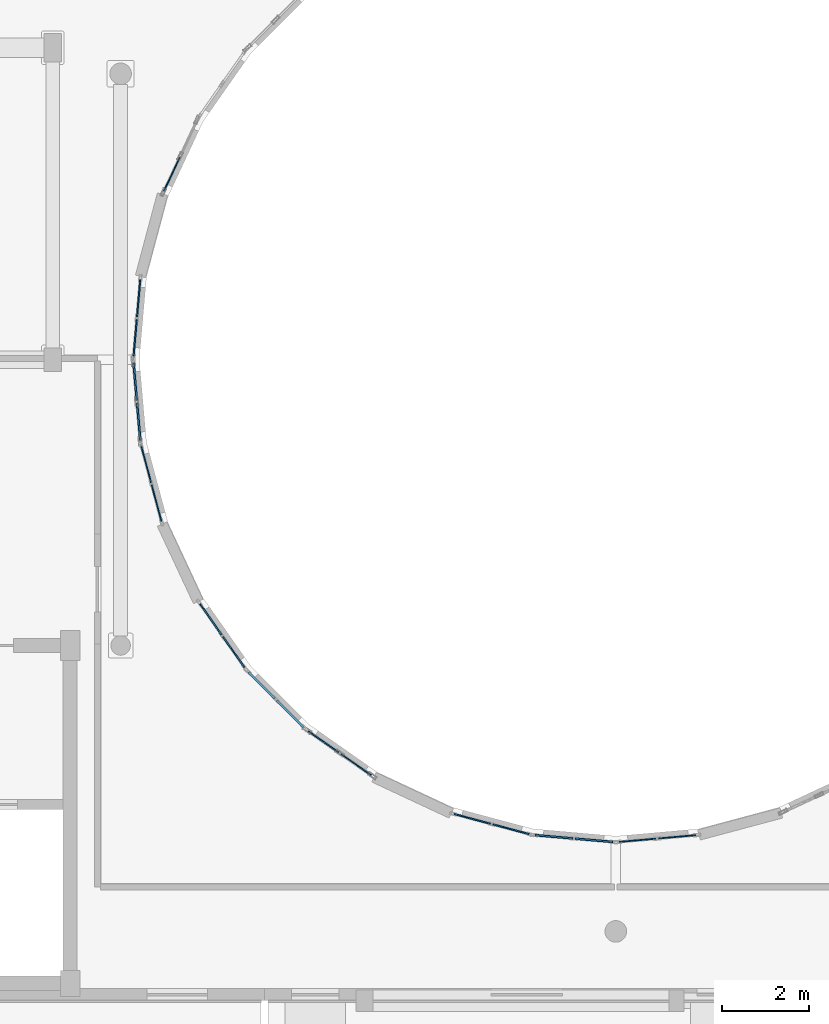
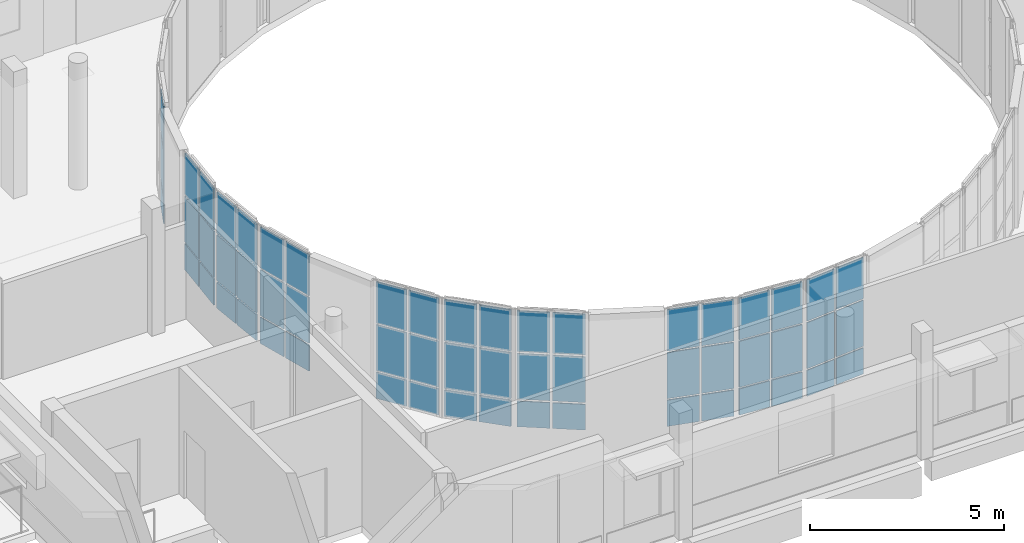
# One storey, part 55 of 89: 57 plates, 10 elements without a shape of their own.
"""IFC4 building model written with IfcOpenShell, lengths in metres."""

from ifc_helpers import new_model, si_unit, direction, frame, origin, origin_2d, place, context, subcontext, project, spatial, rectangle, extrude, material, layer, layer_set, type_object, element, aggregate, save


model = new_model("IFC4")

# Units and contexts
model_context = context("Model", 3, precision=1e-05, world=origin(), true_north=direction((0.0, 1.0)))
body_context = subcontext(model_context, "Body", "Model", "MODEL_VIEW")
ifc_project = project(units=[si_unit("LENGTHUNIT", "METRE"), si_unit("AREAUNIT", "SQUARE_METRE"), si_unit("VOLUMEUNIT", "CUBIC_METRE"), si_unit("PLANEANGLEUNIT", "RADIAN"), si_unit("MASSUNIT", "GRAM", prefix="KILO")], contexts=[model_context])

# Site, building, storey
site_placement = place(None, origin())
site = spatial("IfcSite", under=ifc_project, at=site_placement, CompositionType="ELEMENT")
building_placement = place(site_placement, origin())
building = spatial("IfcBuilding", under=site, at=building_placement, Name="Kelanivale Promenade Academy", CompositionType="ELEMENT")
storey_placement = place(building_placement, frame((0.0, 0.0, 12.199951171875)))
storey = spatial("IfcBuildingStorey", under=building, at=storey_placement, Name="L03", CompositionType="ELEMENT", Elevation=12.199951171875)

# Curtain wall, plates
ifc_material_1 = material(Name="Bronze anodised aluminium and solar-control low-E glass", Category="aluminium")
ifc_layer_1 = layer(ifc_material_1, 0.169921875)
ifc_layer_set_1 = layer_set([ifc_layer_1], Name="Bronze anodised aluminium and solar-control low-E glass")
curtain_wall_type_1 = type_object("IfcCurtainWallType", Name="CW-22 Curtain Wall 1800mm Module", PredefinedType="USERDEFINED", material=ifc_layer_set_1)
curtain_wall_1_placement = place(storey_placement, origin())
curtain_wall_1 = element("IfcCurtainWall", 1, at=curtain_wall_1_placement, inside=storey, type_object=curtain_wall_type_1, Name="L03 courtyard curtain wall CW-22", ObjectType="COURTYARD SCREEN GLAZING", PredefinedType="USERDEFINED")
ifc_material_2 = material(Name="Solar-control double glazing 28 mm", Category="glass")
ifc_layer_2 = layer(ifc_material_2, 0.028076171875)
ifc_layer_set_2 = layer_set([ifc_layer_2], Name="Solar-control double glazing 28 mm")
plate_type_1 = type_object("IfcPlateType", Name="CWP-01 Plate 28mm", PredefinedType="CURTAIN_PANEL", material=ifc_layer_set_2)
plate_1_placement = place(storey_placement, frame((53.149658203125, 61.07958984375, 0.05029296875), z_axis=(0.0, 0.0, 1.0), x_axis=(-0.423086860887, -0.906089128146, 0.0)))
plate_1 = element("IfcPlate", 2, at=plate_1_placement, type_object=plate_type_1, Name="CW-22 panel 2.1", PredefinedType="CURTAIN_PANEL", context=body_context, shape_type="SweptSolid", body=[
    extrude(rectangle(XDim=0.861328125, YDim=0.028076171875, at=origin_2d()), origin(), (0.0, 0.0, 1.0), 0.824951171875),
])
plate_2_placement = place(storey_placement, frame((53.149658203125, 61.07958984375, 0.92529296875), z_axis=(0.0, 0.0, 1.0), x_axis=(-0.423086860887, -0.906089128146, 0.0)))
plate_2 = element("IfcPlate", 3, at=plate_2_placement, type_object=plate_type_1, Name="CW-22 panel 2.2", PredefinedType="CURTAIN_PANEL", context=body_context, shape_type="SweptSolid", body=[
    extrude(rectangle(XDim=0.861328125, YDim=0.028076171875, at=origin_2d()), origin(), (0.0, 0.0, 1.0), 1.449951171875),
])
plate_3_placement = place(storey_placement, frame((53.149658203125, 61.07958984375, 2.42529296875), z_axis=(0.0, 0.0, 1.0), x_axis=(-0.423086860887, -0.906089128146, 0.0)))
plate_3 = element("IfcPlate", 4, at=plate_3_placement, type_object=plate_type_1, Name="CW-22 panel 2.3", PredefinedType="CURTAIN_PANEL", context=body_context, shape_type="SweptSolid", body=[
    extrude(rectangle(XDim=0.861328125, YDim=0.028076171875, at=origin_2d()), origin(), (0.0, 0.0, 1.0), 1.304931640625),
])
aggregate(curtain_wall_1, [plate_1, plate_2, plate_3])

ifc_layer_3 = layer(ifc_material_1, 0.169921875)
ifc_layer_set_3 = layer_set([ifc_layer_3], Name="Bronze anodised aluminium and solar-control low-E glass")
curtain_wall_type_2 = type_object("IfcCurtainWallType", Name="CW-01 Curtain Wall 1350mm Module", PredefinedType="USERDEFINED", material=ifc_layer_set_3)
curtain_wall_2_placement = place(storey_placement, origin())
curtain_wall_2 = element("IfcCurtainWall", 5, at=curtain_wall_2_placement, inside=storey, type_object=curtain_wall_type_2, Name="L03 courtyard curtain wall CW-01", ObjectType="UNITISED GLAZING", PredefinedType="USERDEFINED")
plate_4_placement = place(storey_placement, frame((52.558837890625, 54.380126953125, 0.05029296875), z_axis=(0.0, 0.0, 1.0), x_axis=(0.258578458902, -0.965990259056, 0.0)))
plate_4 = element("IfcPlate", 6, at=plate_4_placement, type_object=plate_type_1, Name="CW-01 panel 1.1", PredefinedType="CURTAIN_PANEL", context=body_context, shape_type="SweptSolid", body=[
    extrude(rectangle(XDim=0.861328125, YDim=0.028076171875, at=origin_2d()), origin(), (0.0, 0.0, 1.0), 0.824951171875),
])
plate_5_placement = place(storey_placement, frame((52.558837890625, 54.380126953125, 0.92529296875), z_axis=(0.0, 0.0, 1.0), x_axis=(0.258578458902, -0.965990259056, 0.0)))
plate_5 = element("IfcPlate", 7, at=plate_5_placement, type_object=plate_type_1, Name="CW-01 panel 1.2", PredefinedType="CURTAIN_PANEL", context=body_context, shape_type="SweptSolid", body=[
    extrude(rectangle(XDim=0.861328125, YDim=0.028076171875, at=origin_2d()), origin(), (0.0, 0.0, 1.0), 1.449951171875),
])
plate_6_placement = place(storey_placement, frame((52.558837890625, 54.380126953125, 2.42529296875), z_axis=(0.0, 0.0, 1.0), x_axis=(0.258578458902, -0.965990259056, 0.0)))
plate_6 = element("IfcPlate", 8, at=plate_6_placement, type_object=plate_type_1, Name="CW-01 panel 1.3", PredefinedType="CURTAIN_PANEL", context=body_context, shape_type="SweptSolid", body=[
    extrude(rectangle(XDim=0.861328125, YDim=0.028076171875, at=origin_2d()), origin(), (0.0, 0.0, 1.0), 1.304931640625),
])
plate_7_placement = place(storey_placement, frame((52.797119140625, 53.489990234375, 0.05029296875), z_axis=(0.0, 0.0, 1.0), x_axis=(0.258578458902, -0.965990259056, 0.0)))
plate_7 = element("IfcPlate", 9, at=plate_7_placement, type_object=plate_type_1, Name="CW-01 panel 2.1", PredefinedType="CURTAIN_PANEL", context=body_context, shape_type="SweptSolid", body=[
    extrude(rectangle(XDim=0.861328125, YDim=0.028076171875, at=origin_2d()), origin(), (0.0, 0.0, 1.0), 0.824951171875),
])
plate_8_placement = place(storey_placement, frame((52.797119140625, 53.489990234375, 0.92529296875), z_axis=(0.0, 0.0, 1.0), x_axis=(0.258578458902, -0.965990259056, 0.0)))
plate_8 = element("IfcPlate", 10, at=plate_8_placement, type_object=plate_type_1, Name="CW-01 panel 2.2", PredefinedType="CURTAIN_PANEL", context=body_context, shape_type="SweptSolid", body=[
    extrude(rectangle(XDim=0.861328125, YDim=0.028076171875, at=origin_2d()), origin(), (0.0, 0.0, 1.0), 1.449951171875),
])
plate_9_placement = place(storey_placement, frame((52.797119140625, 53.489990234375, 2.42529296875), z_axis=(0.0, 0.0, 1.0), x_axis=(0.258578458902, -0.965990259056, 0.0)))
plate_9 = element("IfcPlate", 11, at=plate_9_placement, type_object=plate_type_1, Name="CW-01 panel 2.3", PredefinedType="CURTAIN_PANEL", context=body_context, shape_type="SweptSolid", body=[
    extrude(rectangle(XDim=0.861328125, YDim=0.028076171875, at=origin_2d()), origin(), (0.0, 0.0, 1.0), 1.304931640625),
])
aggregate(curtain_wall_2, [plate_4, plate_5, plate_6, plate_7, plate_8, plate_9])

ifc_layer_4 = layer(ifc_material_1, 0.169921875)
ifc_layer_set_4 = layer_set([ifc_layer_4], Name="Bronze anodised aluminium and solar-control low-E glass")
curtain_wall_type_3 = type_object("IfcCurtainWallType", Name="CW-04 Curtain Wall 1800mm Module", PredefinedType="USERDEFINED", material=ifc_layer_set_4)
curtain_wall_3_placement = place(storey_placement, origin())
curtain_wall_3 = element("IfcCurtainWall", 12, at=curtain_wall_3_placement, inside=storey, type_object=curtain_wall_type_3, Name="L03 courtyard curtain wall CW-04", ObjectType="UNITISED GLAZING", PredefinedType="USERDEFINED")
plate_10_placement = place(storey_placement, frame((56.652099609375, 47.97705078125, 0.06005859375), z_axis=(0.0, 0.0, 1.0), x_axis=(0.819305982099, -0.573356527561, 0.0)))
plate_10 = element("IfcPlate", 13, at=plate_10_placement, type_object=plate_type_1, Name="CW-04 panel 1.1", PredefinedType="CURTAIN_PANEL", context=body_context, shape_type="SweptSolid", body=[
    extrude(rectangle(XDim=0.85400390625, YDim=0.028076171875, at=origin_2d()), origin(), (0.0, 0.0, 1.0), 0.81005859375),
])
plate_11_placement = place(storey_placement, frame((56.652099609375, 47.97705078125, 0.93017578125), z_axis=(0.0, 0.0, 1.0), x_axis=(0.819305982099, -0.573356527561, 0.0)))
plate_11 = element("IfcPlate", 14, at=plate_11_placement, type_object=plate_type_1, Name="CW-04 panel 1.2", PredefinedType="CURTAIN_PANEL", context=body_context, shape_type="SweptSolid", body=[
    extrude(rectangle(XDim=0.85400390625, YDim=0.028076171875, at=origin_2d()), origin(), (0.0, 0.0, 1.0), 1.43994140625),
])
plate_12_placement = place(storey_placement, frame((56.652099609375, 47.97705078125, 2.429931640625), z_axis=(0.0, 0.0, 1.0), x_axis=(0.819305982099, -0.573356527561, 0.0)))
plate_12 = element("IfcPlate", 15, at=plate_12_placement, type_object=plate_type_1, Name="CW-04 panel 1.3", PredefinedType="CURTAIN_PANEL", context=body_context, shape_type="SweptSolid", body=[
    extrude(rectangle(XDim=0.85400390625, YDim=0.028076171875, at=origin_2d()), origin(), (0.0, 0.0, 1.0), 1.2900390625),
])
plate_13_placement = place(storey_placement, frame((57.405029296875, 47.449951171875, 0.06005859375), z_axis=(0.0, 0.0, 1.0), x_axis=(0.819305982099, -0.573356527561, 0.0)))
plate_13 = element("IfcPlate", 16, at=plate_13_placement, type_object=plate_type_1, Name="CW-04 panel 2.1", PredefinedType="CURTAIN_PANEL", context=body_context, shape_type="SweptSolid", body=[
    extrude(rectangle(XDim=0.85400390625, YDim=0.028076171875, at=origin_2d()), origin(), (0.0, 0.0, 1.0), 0.81005859375),
])
plate_14_placement = place(storey_placement, frame((57.405029296875, 47.449951171875, 0.93017578125), z_axis=(0.0, 0.0, 1.0), x_axis=(0.819305982099, -0.573356527561, 0.0)))
plate_14 = element("IfcPlate", 17, at=plate_14_placement, type_object=plate_type_1, Name="CW-04 panel 2.2", PredefinedType="CURTAIN_PANEL", context=body_context, shape_type="SweptSolid", body=[
    extrude(rectangle(XDim=0.85400390625, YDim=0.028076171875, at=origin_2d()), origin(), (0.0, 0.0, 1.0), 1.43994140625),
])
plate_15_placement = place(storey_placement, frame((57.405029296875, 47.449951171875, 2.429931640625), z_axis=(0.0, 0.0, 1.0), x_axis=(0.819305982099, -0.573356527561, 0.0)))
plate_15 = element("IfcPlate", 18, at=plate_15_placement, type_object=plate_type_1, Name="CW-04 panel 2.3", PredefinedType="CURTAIN_PANEL", context=body_context, shape_type="SweptSolid", body=[
    extrude(rectangle(XDim=0.85400390625, YDim=0.028076171875, at=origin_2d()), origin(), (0.0, 0.0, 1.0), 1.2900390625),
])
aggregate(curtain_wall_3, [plate_10, plate_11, plate_12, plate_13, plate_14, plate_15])

ifc_layer_5 = layer(ifc_material_1, 0.169921875)
ifc_layer_set_5 = layer_set([ifc_layer_5], Name="Bronze anodised aluminium and solar-control low-E glass")
curtain_wall_type_4 = type_object("IfcCurtainWallType", Name="CW-07 Curtain Wall 1350mm Module", PredefinedType="USERDEFINED", material=ifc_layer_set_5)
curtain_wall_4_placement = place(storey_placement, origin())
curtain_wall_4 = element("IfcCurtainWall", 19, at=curtain_wall_4_placement, inside=storey, type_object=curtain_wall_type_4, Name="L03 courtyard curtain wall CW-07", ObjectType="UNITISED GLAZING", PredefinedType="USERDEFINED")
plate_16_placement = place(storey_placement, frame((63.90185546875, 45.703857421875, 0.05029296875), z_axis=(0.0, 0.0, 1.0), x_axis=(0.996185153601, 0.087264768066, 0.0)))
plate_16 = element("IfcPlate", 20, at=plate_16_placement, type_object=plate_type_1, Name="CW-07 panel 1.1", PredefinedType="CURTAIN_PANEL", context=body_context, shape_type="SweptSolid", body=[
    extrude(rectangle(XDim=0.853515625, YDim=0.028076171875, at=origin_2d()), origin(), (0.0, 0.0, 1.0), 0.824951171875),
])
plate_17_placement = place(storey_placement, frame((63.90185546875, 45.703857421875, 0.92529296875), z_axis=(0.0, 0.0, 1.0), x_axis=(0.996185153601, 0.087264768066, 0.0)))
plate_17 = element("IfcPlate", 21, at=plate_17_placement, type_object=plate_type_1, Name="CW-07 panel 1.2", PredefinedType="CURTAIN_PANEL", context=body_context, shape_type="SweptSolid", body=[
    extrude(rectangle(XDim=0.853515625, YDim=0.028076171875, at=origin_2d()), origin(), (0.0, 0.0, 1.0), 1.449951171875),
])
plate_18_placement = place(storey_placement, frame((63.90185546875, 45.703857421875, 2.42529296875), z_axis=(0.0, 0.0, 1.0), x_axis=(0.996185153601, 0.087264768066, 0.0)))
plate_18 = element("IfcPlate", 22, at=plate_18_placement, type_object=plate_type_1, Name="CW-07 panel 1.3", PredefinedType="CURTAIN_PANEL", context=body_context, shape_type="SweptSolid", body=[
    extrude(rectangle(XDim=0.853515625, YDim=0.028076171875, at=origin_2d()), origin(), (0.0, 0.0, 1.0), 1.304931640625),
])
plate_19_placement = place(storey_placement, frame((64.817138671875, 45.7841796875, 0.05029296875), z_axis=(0.0, 0.0, 1.0), x_axis=(0.996185153601, 0.087264768066, 0.0)))
plate_19 = element("IfcPlate", 23, at=plate_19_placement, type_object=plate_type_1, Name="CW-07 panel 2.1", PredefinedType="CURTAIN_PANEL", context=body_context, shape_type="SweptSolid", body=[
    extrude(rectangle(XDim=0.853515625, YDim=0.028076171875, at=origin_2d()), origin(), (0.0, 0.0, 1.0), 0.824951171875),
])
plate_20_placement = place(storey_placement, frame((64.817138671875, 45.7841796875, 0.92529296875), z_axis=(0.0, 0.0, 1.0), x_axis=(0.996185153601, 0.087264768066, 0.0)))
plate_20 = element("IfcPlate", 24, at=plate_20_placement, type_object=plate_type_1, Name="CW-07 panel 2.2", PredefinedType="CURTAIN_PANEL", context=body_context, shape_type="SweptSolid", body=[
    extrude(rectangle(XDim=0.853515625, YDim=0.028076171875, at=origin_2d()), origin(), (0.0, 0.0, 1.0), 1.449951171875),
])
plate_21_placement = place(storey_placement, frame((64.817138671875, 45.7841796875, 2.42529296875), z_axis=(0.0, 0.0, 1.0), x_axis=(0.996185153601, 0.087264768066, 0.0)))
plate_21 = element("IfcPlate", 25, at=plate_21_placement, type_object=plate_type_1, Name="CW-07 panel 2.3", PredefinedType="CURTAIN_PANEL", context=body_context, shape_type="SweptSolid", body=[
    extrude(rectangle(XDim=0.853515625, YDim=0.028076171875, at=origin_2d()), origin(), (0.0, 0.0, 1.0), 1.304931640625),
])
aggregate(curtain_wall_4, [plate_16, plate_17, plate_18, plate_19, plate_20, plate_21])

ifc_layer_6 = layer(ifc_material_1, 0.179931640625)
ifc_layer_set_6 = layer_set([ifc_layer_6], Name="Bronze anodised aluminium and solar-control low-E glass")
curtain_wall_type_5 = type_object("IfcCurtainWallType", Name="CW-23 Curtain Wall 1950mm Module", PredefinedType="USERDEFINED", material=ifc_layer_set_6)
curtain_wall_5_placement = place(storey_placement, origin())
curtain_wall_5 = element("IfcCurtainWall", 26, at=curtain_wall_5_placement, inside=storey, type_object=curtain_wall_type_5, Name="L03 courtyard curtain wall CW-23", ObjectType="COURTYARD SCREEN GLAZING", PredefinedType="USERDEFINED")
ifc_material_3 = material(Name="Acoustic laminated double glazing 36 mm", Category="glass")
ifc_layer_7 = layer(ifc_material_3, 0.035888671875)
ifc_layer_set_7 = layer_set([ifc_layer_7], Name="Acoustic laminated double glazing 36 mm")
plate_type_2 = type_object("IfcPlateType", Name="CWP-02 Plate 36mm", PredefinedType="CURTAIN_PANEL", material=ifc_layer_set_7)
plate_22_placement = place(storey_placement, frame((52.384033203125, 58.217041015625, 0.05029296875), z_axis=(0.0, 0.0, 1.0), x_axis=(-0.087264768066, -0.996185153601, 0.0)))
plate_22 = element("IfcPlate", 27, at=plate_22_placement, type_object=plate_type_2, Name="CW-23 panel 1.1", PredefinedType="CURTAIN_PANEL", context=body_context, shape_type="SweptSolid", body=[
    extrude(rectangle(XDim=0.853515625, YDim=0.035888671875, at=origin_2d()), origin(), (0.0, 0.0, 1.0), 0.824951171875),
])
plate_23_placement = place(storey_placement, frame((52.384033203125, 58.217041015625, 0.92529296875), z_axis=(0.0, 0.0, 1.0), x_axis=(-0.087264768066, -0.996185153601, 0.0)))
plate_23 = element("IfcPlate", 28, at=plate_23_placement, type_object=plate_type_2, Name="CW-23 panel 1.2", PredefinedType="CURTAIN_PANEL", context=body_context, shape_type="SweptSolid", body=[
    extrude(rectangle(XDim=0.853515625, YDim=0.035888671875, at=origin_2d()), origin(), (0.0, 0.0, 1.0), 1.449951171875),
])
plate_24_placement = place(storey_placement, frame((52.384033203125, 58.217041015625, 2.42529296875), z_axis=(0.0, 0.0, 1.0), x_axis=(-0.087264768066, -0.996185153601, 0.0)))
plate_24 = element("IfcPlate", 29, at=plate_24_placement, type_object=plate_type_2, Name="CW-23 panel 1.3", PredefinedType="CURTAIN_PANEL", context=body_context, shape_type="SweptSolid", body=[
    extrude(rectangle(XDim=0.853515625, YDim=0.035888671875, at=origin_2d()), origin(), (0.0, 0.0, 1.0), 1.304931640625),
])
plate_25_placement = place(storey_placement, frame((52.303955078125, 57.302001953125, 0.05029296875), z_axis=(0.0, 0.0, 1.0), x_axis=(-0.087264768066, -0.996185153601, 0.0)))
plate_25 = element("IfcPlate", 30, at=plate_25_placement, type_object=plate_type_2, Name="CW-23 panel 2.1", PredefinedType="CURTAIN_PANEL", context=body_context, shape_type="SweptSolid", body=[
    extrude(rectangle(XDim=0.853515625, YDim=0.035888671875, at=origin_2d()), origin(), (0.0, 0.0, 1.0), 0.824951171875),
])
plate_26_placement = place(storey_placement, frame((52.303955078125, 57.302001953125, 0.92529296875), z_axis=(0.0, 0.0, 1.0), x_axis=(-0.087264768066, -0.996185153601, 0.0)))
plate_26 = element("IfcPlate", 31, at=plate_26_placement, type_object=plate_type_2, Name="CW-23 panel 2.2", PredefinedType="CURTAIN_PANEL", context=body_context, shape_type="SweptSolid", body=[
    extrude(rectangle(XDim=0.853515625, YDim=0.035888671875, at=origin_2d()), origin(), (0.0, 0.0, 1.0), 1.449951171875),
])
plate_27_placement = place(storey_placement, frame((52.303955078125, 57.302001953125, 2.42529296875), z_axis=(0.0, 0.0, 1.0), x_axis=(-0.087264768066, -0.996185153601, 0.0)))
plate_27 = element("IfcPlate", 32, at=plate_27_placement, type_object=plate_type_2, Name="CW-23 panel 2.3", PredefinedType="CURTAIN_PANEL", context=body_context, shape_type="SweptSolid", body=[
    extrude(rectangle(XDim=0.853515625, YDim=0.035888671875, at=origin_2d()), origin(), (0.0, 0.0, 1.0), 1.304931640625),
])
aggregate(curtain_wall_5, [plate_22, plate_23, plate_24, plate_25, plate_26, plate_27])

ifc_layer_8 = layer(ifc_material_1, 0.179931640625)
ifc_layer_set_8 = layer_set([ifc_layer_8], Name="Bronze anodised aluminium and solar-control low-E glass")
curtain_wall_type_6 = type_object("IfcCurtainWallType", Name="CW-02 Curtain Wall 1500mm Module", PredefinedType="USERDEFINED", material=ifc_layer_set_8)
curtain_wall_6_placement = place(storey_placement, origin())
curtain_wall_6 = element("IfcCurtainWall", 33, at=curtain_wall_6_placement, inside=storey, type_object=curtain_wall_type_6, Name="L03 courtyard curtain wall CW-02", ObjectType="UNITISED GLAZING", PredefinedType="USERDEFINED")
plate_28_placement = place(storey_placement, frame((54.04931640625, 50.805908203125, 0.05029296875), z_axis=(0.0, 0.0, 1.0), x_axis=(0.573356527561, -0.819305982099, 0.0)))
plate_28 = element("IfcPlate", 34, at=plate_28_placement, type_object=plate_type_2, Name="CW-02 panel 1.1", PredefinedType="CURTAIN_PANEL", context=body_context, shape_type="SweptSolid", body=[
    extrude(rectangle(XDim=0.861328125, YDim=0.035888671875, at=origin_2d()), origin(), (0.0, 0.0, 1.0), 0.824951171875),
])
plate_29_placement = place(storey_placement, frame((54.04931640625, 50.805908203125, 0.92529296875), z_axis=(0.0, 0.0, 1.0), x_axis=(0.573356527561, -0.819305982099, 0.0)))
plate_29 = element("IfcPlate", 35, at=plate_29_placement, type_object=plate_type_2, Name="CW-02 panel 1.2", PredefinedType="CURTAIN_PANEL", context=body_context, shape_type="SweptSolid", body=[
    extrude(rectangle(XDim=0.861328125, YDim=0.035888671875, at=origin_2d()), origin(), (0.0, 0.0, 1.0), 1.449951171875),
])
plate_30_placement = place(storey_placement, frame((54.04931640625, 50.805908203125, 2.42529296875), z_axis=(0.0, 0.0, 1.0), x_axis=(0.573356527561, -0.819305982099, 0.0)))
plate_30 = element("IfcPlate", 36, at=plate_30_placement, type_object=plate_type_2, Name="CW-02 panel 1.3", PredefinedType="CURTAIN_PANEL", context=body_context, shape_type="SweptSolid", body=[
    extrude(rectangle(XDim=0.861328125, YDim=0.035888671875, at=origin_2d()), origin(), (0.0, 0.0, 1.0), 1.304931640625),
])
plate_31_placement = place(storey_placement, frame((54.57763671875, 50.051025390625, 0.05029296875), z_axis=(0.0, 0.0, 1.0), x_axis=(0.573356527561, -0.819305982099, 0.0)))
plate_31 = element("IfcPlate", 37, at=plate_31_placement, type_object=plate_type_2, Name="CW-02 panel 2.1", PredefinedType="CURTAIN_PANEL", context=body_context, shape_type="SweptSolid", body=[
    extrude(rectangle(XDim=0.861328125, YDim=0.035888671875, at=origin_2d()), origin(), (0.0, 0.0, 1.0), 0.824951171875),
])
plate_32_placement = place(storey_placement, frame((54.57763671875, 50.051025390625, 0.92529296875), z_axis=(0.0, 0.0, 1.0), x_axis=(0.573356527561, -0.819305982099, 0.0)))
plate_32 = element("IfcPlate", 38, at=plate_32_placement, type_object=plate_type_2, Name="CW-02 panel 2.2", PredefinedType="CURTAIN_PANEL", context=body_context, shape_type="SweptSolid", body=[
    extrude(rectangle(XDim=0.861328125, YDim=0.035888671875, at=origin_2d()), origin(), (0.0, 0.0, 1.0), 1.449951171875),
])
plate_33_placement = place(storey_placement, frame((54.57763671875, 50.051025390625, 2.42529296875), z_axis=(0.0, 0.0, 1.0), x_axis=(0.573356527561, -0.819305982099, 0.0)))
plate_33 = element("IfcPlate", 39, at=plate_33_placement, type_object=plate_type_2, Name="CW-02 panel 2.3", PredefinedType="CURTAIN_PANEL", context=body_context, shape_type="SweptSolid", body=[
    extrude(rectangle(XDim=0.861328125, YDim=0.035888671875, at=origin_2d()), origin(), (0.0, 0.0, 1.0), 1.304931640625),
])
aggregate(curtain_wall_6, [plate_28, plate_29, plate_30, plate_31, plate_32, plate_33])

ifc_layer_9 = layer(ifc_material_1, 0.179931640625)
ifc_layer_set_9 = layer_set([ifc_layer_9], Name="Bronze anodised aluminium and solar-control low-E glass")
curtain_wall_type_7 = type_object("IfcCurtainWallType", Name="CW-05 Curtain Wall 1950mm Module", PredefinedType="USERDEFINED", material=ifc_layer_set_9)
curtain_wall_7_placement = place(storey_placement, origin())
curtain_wall_7 = element("IfcCurtainWall", 40, at=curtain_wall_7_placement, inside=storey, type_object=curtain_wall_type_7, Name="L03 courtyard curtain wall CW-05", ObjectType="UNITISED GLAZING", PredefinedType="USERDEFINED")
plate_34_placement = place(storey_placement, frame((60.090087890625, 46.197021484375, 0.05029296875), z_axis=(0.0, 0.0, 1.0), x_axis=(0.965990259056, -0.258578458902, 0.0)))
plate_34 = element("IfcPlate", 41, at=plate_34_placement, type_object=plate_type_2, Name="CW-05 panel 1.1", PredefinedType="CURTAIN_PANEL", context=body_context, shape_type="SweptSolid", body=[
    extrude(rectangle(XDim=0.861328125, YDim=0.035888671875, at=origin_2d()), origin(), (0.0, 0.0, 1.0), 0.824951171875),
])
plate_35_placement = place(storey_placement, frame((60.090087890625, 46.197021484375, 0.92529296875), z_axis=(0.0, 0.0, 1.0), x_axis=(0.965990259056, -0.258578458902, 0.0)))
plate_35 = element("IfcPlate", 42, at=plate_35_placement, type_object=plate_type_2, Name="CW-05 panel 1.2", PredefinedType="CURTAIN_PANEL", context=body_context, shape_type="SweptSolid", body=[
    extrude(rectangle(XDim=0.861328125, YDim=0.035888671875, at=origin_2d()), origin(), (0.0, 0.0, 1.0), 1.449951171875),
])
plate_36_placement = place(storey_placement, frame((60.090087890625, 46.197021484375, 2.42529296875), z_axis=(0.0, 0.0, 1.0), x_axis=(0.965990259056, -0.258578458902, 0.0)))
plate_36 = element("IfcPlate", 43, at=plate_36_placement, type_object=plate_type_2, Name="CW-05 panel 1.3", PredefinedType="CURTAIN_PANEL", context=body_context, shape_type="SweptSolid", body=[
    extrude(rectangle(XDim=0.861328125, YDim=0.035888671875, at=origin_2d()), origin(), (0.0, 0.0, 1.0), 1.304931640625),
])
plate_37_placement = place(storey_placement, frame((60.97998046875, 45.958984375, 0.05029296875), z_axis=(0.0, 0.0, 1.0), x_axis=(0.965990259056, -0.258578458902, 0.0)))
plate_37 = element("IfcPlate", 44, at=plate_37_placement, type_object=plate_type_2, Name="CW-05 panel 2.1", PredefinedType="CURTAIN_PANEL", context=body_context, shape_type="SweptSolid", body=[
    extrude(rectangle(XDim=0.861328125, YDim=0.035888671875, at=origin_2d()), origin(), (0.0, 0.0, 1.0), 0.824951171875),
])
plate_38_placement = place(storey_placement, frame((60.97998046875, 45.958984375, 0.92529296875), z_axis=(0.0, 0.0, 1.0), x_axis=(0.965990259056, -0.258578458902, 0.0)))
plate_38 = element("IfcPlate", 45, at=plate_38_placement, type_object=plate_type_2, Name="CW-05 panel 2.2", PredefinedType="CURTAIN_PANEL", context=body_context, shape_type="SweptSolid", body=[
    extrude(rectangle(XDim=0.861328125, YDim=0.035888671875, at=origin_2d()), origin(), (0.0, 0.0, 1.0), 1.449951171875),
])
plate_39_placement = place(storey_placement, frame((60.97998046875, 45.958984375, 2.42529296875), z_axis=(0.0, 0.0, 1.0), x_axis=(0.965990259056, -0.258578458902, 0.0)))
plate_39 = element("IfcPlate", 46, at=plate_39_placement, type_object=plate_type_2, Name="CW-05 panel 2.3", PredefinedType="CURTAIN_PANEL", context=body_context, shape_type="SweptSolid", body=[
    extrude(rectangle(XDim=0.861328125, YDim=0.035888671875, at=origin_2d()), origin(), (0.0, 0.0, 1.0), 1.304931640625),
])
aggregate(curtain_wall_7, [plate_34, plate_35, plate_36, plate_37, plate_38, plate_39])

ifc_layer_10 = layer(ifc_material_1, 0.159912109375)
ifc_layer_set_10 = layer_set([ifc_layer_10], Name="Bronze anodised aluminium and solar-control low-E glass")
curtain_wall_type_8 = type_object("IfcCurtainWallType", Name="CW-24 Curtain Wall 1200mm Module", PredefinedType="USERDEFINED", material=ifc_layer_set_10)
curtain_wall_8_placement = place(storey_placement, origin())
curtain_wall_8 = element("IfcCurtainWall", 47, at=curtain_wall_8_placement, inside=storey, type_object=curtain_wall_type_8, Name="L03 courtyard curtain wall CW-24", ObjectType="COURTYARD SCREEN GLAZING", PredefinedType="USERDEFINED")
ifc_material_4 = material(Name="Insulated bronze aluminium spandrel panel 44 mm", Category="aluminium")
ifc_layer_11 = layer(ifc_material_4, 0.0439453125)
ifc_layer_set_11 = layer_set([ifc_layer_11], Name="Insulated bronze aluminium spandrel panel 44 mm")
plate_type_3 = type_object("IfcPlateType", Name="CWP-03 Plate 44mm", PredefinedType="CURTAIN_PANEL", material=ifc_layer_set_11)
plate_40_placement = place(storey_placement, frame((52.30419921875, 56.29443359375, 0.06005859375), z_axis=(0.0, 0.0, 1.0), x_axis=(0.087102249164, -0.996199376727, 0.0)))
plate_40 = element("IfcPlate", 48, at=plate_40_placement, type_object=plate_type_3, Name="CW-24 panel 1.1", PredefinedType="CURTAIN_PANEL", context=body_context, shape_type="SweptSolid", body=[
    extrude(rectangle(XDim=0.861083984375, YDim=0.0439453125, at=origin_2d()), origin(), (0.0, 0.0, 1.0), 0.81005859375),
])
plate_41_placement = place(storey_placement, frame((52.30419921875, 56.29443359375, 0.93017578125), z_axis=(0.0, 0.0, 1.0), x_axis=(0.087102249164, -0.996199376727, 0.0)))
plate_41 = element("IfcPlate", 49, at=plate_41_placement, type_object=plate_type_3, Name="CW-24 panel 1.2", PredefinedType="CURTAIN_PANEL", context=body_context, shape_type="SweptSolid", body=[
    extrude(rectangle(XDim=0.861083984375, YDim=0.0439453125, at=origin_2d()), origin(), (0.0, 0.0, 1.0), 1.43994140625),
])
plate_42_placement = place(storey_placement, frame((52.30419921875, 56.29443359375, 2.429931640625), z_axis=(0.0, 0.0, 1.0), x_axis=(0.087102249164, -0.996199376727, 0.0)))
plate_42 = element("IfcPlate", 50, at=plate_42_placement, type_object=plate_type_3, Name="CW-24 panel 1.3", PredefinedType="CURTAIN_PANEL", context=body_context, shape_type="SweptSolid", body=[
    extrude(rectangle(XDim=0.861083984375, YDim=0.0439453125, at=origin_2d()), origin(), (0.0, 0.0, 1.0), 1.2900390625),
])
plate_43_placement = place(storey_placement, frame((52.384765625, 55.37158203125, 0.06005859375), z_axis=(0.0, 0.0, 1.0), x_axis=(0.087102249164, -0.996199376727, 0.0)))
plate_43 = element("IfcPlate", 51, at=plate_43_placement, type_object=plate_type_3, Name="CW-24 panel 2.1", PredefinedType="CURTAIN_PANEL", context=body_context, shape_type="SweptSolid", body=[
    extrude(rectangle(XDim=0.861083984375, YDim=0.0439453125, at=origin_2d()), origin(), (0.0, 0.0, 1.0), 0.81005859375),
])
plate_44_placement = place(storey_placement, frame((52.384765625, 55.37158203125, 0.93017578125), z_axis=(0.0, 0.0, 1.0), x_axis=(0.087102249164, -0.996199376727, 0.0)))
plate_44 = element("IfcPlate", 52, at=plate_44_placement, type_object=plate_type_3, Name="CW-24 panel 2.2", PredefinedType="CURTAIN_PANEL", context=body_context, shape_type="SweptSolid", body=[
    extrude(rectangle(XDim=0.861083984375, YDim=0.0439453125, at=origin_2d()), origin(), (0.0, 0.0, 1.0), 1.43994140625),
])
plate_45_placement = place(storey_placement, frame((52.384765625, 55.37158203125, 2.429931640625), z_axis=(0.0, 0.0, 1.0), x_axis=(0.087102249164, -0.996199376727, 0.0)))
plate_45 = element("IfcPlate", 53, at=plate_45_placement, type_object=plate_type_3, Name="CW-24 panel 2.3", PredefinedType="CURTAIN_PANEL", context=body_context, shape_type="SweptSolid", body=[
    extrude(rectangle(XDim=0.861083984375, YDim=0.0439453125, at=origin_2d()), origin(), (0.0, 0.0, 1.0), 1.2900390625),
])
aggregate(curtain_wall_8, [plate_40, plate_41, plate_42, plate_43, plate_44, plate_45])

ifc_layer_12 = layer(ifc_material_1, 0.159912109375)
ifc_layer_set_12 = layer_set([ifc_layer_12], Name="Bronze anodised aluminium and solar-control low-E glass")
curtain_wall_type_9 = type_object("IfcCurtainWallType", Name="CW-03 Curtain Wall 1650mm Module", PredefinedType="USERDEFINED", material=ifc_layer_set_12)
curtain_wall_9_placement = place(storey_placement, origin())
curtain_wall_9 = element("IfcCurtainWall", 54, at=curtain_wall_9_placement, inside=storey, type_object=curtain_wall_type_9, Name="L03 courtyard curtain wall CW-03", ObjectType="UNITISED GLAZING", PredefinedType="USERDEFINED")
plate_46_placement = place(storey_placement, frame((55.225341796875, 49.27978515625, 0.05029296875), z_axis=(0.0, 0.0, 1.0), x_axis=(0.707106781187, -0.707106781187, 0.0)))
plate_46 = element("IfcPlate", 55, at=plate_46_placement, type_object=plate_type_3, Name="CW-03 panel 1.1", PredefinedType="CURTAIN_PANEL", context=body_context, shape_type="SweptSolid", body=[
    extrude(rectangle(XDim=0.860595703125, YDim=0.0439453125, at=origin_2d()), origin(), (0.0, 0.0, 1.0), 0.824951171875),
])
plate_47_placement = place(storey_placement, frame((55.225341796875, 49.27978515625, 0.92529296875), z_axis=(0.0, 0.0, 1.0), x_axis=(0.707106781187, -0.707106781187, 0.0)))
plate_47 = element("IfcPlate", 56, at=plate_47_placement, type_object=plate_type_3, Name="CW-03 panel 1.2", PredefinedType="CURTAIN_PANEL", context=body_context, shape_type="SweptSolid", body=[
    extrude(rectangle(XDim=0.860595703125, YDim=0.0439453125, at=origin_2d()), origin(), (0.0, 0.0, 1.0), 1.449951171875),
])
plate_48_placement = place(storey_placement, frame((55.225341796875, 49.27978515625, 2.42529296875), z_axis=(0.0, 0.0, 1.0), x_axis=(0.707106781187, -0.707106781187, 0.0)))
plate_48 = element("IfcPlate", 57, at=plate_48_placement, type_object=plate_type_3, Name="CW-03 panel 1.3", PredefinedType="CURTAIN_PANEL", context=body_context, shape_type="SweptSolid", body=[
    extrude(rectangle(XDim=0.860595703125, YDim=0.0439453125, at=origin_2d()), origin(), (0.0, 0.0, 1.0), 1.304931640625),
])
plate_49_placement = place(storey_placement, frame((55.879638671875, 48.625244140625, 0.05029296875), z_axis=(0.0, 0.0, 1.0), x_axis=(0.707106781187, -0.707106781187, 0.0)))
plate_49 = element("IfcPlate", 58, at=plate_49_placement, type_object=plate_type_3, Name="CW-03 panel 2.1", PredefinedType="CURTAIN_PANEL", context=body_context, shape_type="SweptSolid", body=[
    extrude(rectangle(XDim=0.860595703125, YDim=0.0439453125, at=origin_2d()), origin(), (0.0, 0.0, 1.0), 0.824951171875),
])
plate_50_placement = place(storey_placement, frame((55.879638671875, 48.625244140625, 0.92529296875), z_axis=(0.0, 0.0, 1.0), x_axis=(0.707106781187, -0.707106781187, 0.0)))
plate_50 = element("IfcPlate", 59, at=plate_50_placement, type_object=plate_type_3, Name="CW-03 panel 2.2", PredefinedType="CURTAIN_PANEL", context=body_context, shape_type="SweptSolid", body=[
    extrude(rectangle(XDim=0.860595703125, YDim=0.0439453125, at=origin_2d()), origin(), (0.0, 0.0, 1.0), 1.449951171875),
])
plate_51_placement = place(storey_placement, frame((55.879638671875, 48.625244140625, 2.42529296875), z_axis=(0.0, 0.0, 1.0), x_axis=(0.707106781187, -0.707106781187, 0.0)))
plate_51 = element("IfcPlate", 60, at=plate_51_placement, type_object=plate_type_3, Name="CW-03 panel 2.3", PredefinedType="CURTAIN_PANEL", context=body_context, shape_type="SweptSolid", body=[
    extrude(rectangle(XDim=0.860595703125, YDim=0.0439453125, at=origin_2d()), origin(), (0.0, 0.0, 1.0), 1.304931640625),
])
aggregate(curtain_wall_9, [plate_46, plate_47, plate_48, plate_49, plate_50, plate_51])

ifc_layer_13 = layer(ifc_material_1, 0.159912109375)
ifc_layer_set_13 = layer_set([ifc_layer_13], Name="Bronze anodised aluminium and solar-control low-E glass")
curtain_wall_type_10 = type_object("IfcCurtainWallType", Name="CW-06 Curtain Wall 1200mm Module", PredefinedType="USERDEFINED", material=ifc_layer_set_13)
curtain_wall_10_placement = place(storey_placement, origin())
curtain_wall_10 = element("IfcCurtainWall", 61, at=curtain_wall_10_placement, inside=storey, type_object=curtain_wall_type_10, Name="L03 courtyard curtain wall CW-06", ObjectType="UNITISED GLAZING", PredefinedType="USERDEFINED")
plate_52_placement = place(storey_placement, frame((61.970458984375, 45.784912109375, 0.05029296875), z_axis=(0.0, 0.0, 1.0), x_axis=(0.996199376727, -0.087102249164, 0.0)))
plate_52 = element("IfcPlate", 62, at=plate_52_placement, type_object=plate_type_3, Name="CW-06 panel 1.1", PredefinedType="CURTAIN_PANEL", context=body_context, shape_type="SweptSolid", body=[
    extrude(rectangle(XDim=0.86865234375, YDim=0.0439453125, at=origin_2d()), origin(), (0.0, 0.0, 1.0), 0.824951171875),
])
plate_53_placement = place(storey_placement, frame((61.970458984375, 45.784912109375, 0.92529296875), z_axis=(0.0, 0.0, 1.0), x_axis=(0.996199376727, -0.087102249164, 0.0)))
plate_53 = element("IfcPlate", 63, at=plate_53_placement, type_object=plate_type_3, Name="CW-06 panel 1.2", PredefinedType="CURTAIN_PANEL", context=body_context, shape_type="SweptSolid", body=[
    extrude(rectangle(XDim=0.86865234375, YDim=0.0439453125, at=origin_2d()), origin(), (0.0, 0.0, 1.0), 1.449951171875),
])
plate_54_placement = place(storey_placement, frame((61.970458984375, 45.784912109375, 2.42529296875), z_axis=(0.0, 0.0, 1.0), x_axis=(0.996199376727, -0.087102249164, 0.0)))
plate_54 = element("IfcPlate", 64, at=plate_54_placement, type_object=plate_type_3, Name="CW-06 panel 1.3", PredefinedType="CURTAIN_PANEL", context=body_context, shape_type="SweptSolid", body=[
    extrude(rectangle(XDim=0.86865234375, YDim=0.0439453125, at=origin_2d()), origin(), (0.0, 0.0, 1.0), 1.304931640625),
])
plate_55_placement = place(storey_placement, frame((62.8955078125, 45.7041015625, 0.05029296875), z_axis=(0.0, 0.0, 1.0), x_axis=(0.996199376727, -0.087102249164, 0.0)))
plate_55 = element("IfcPlate", 65, at=plate_55_placement, type_object=plate_type_3, Name="CW-06 panel 2.1", PredefinedType="CURTAIN_PANEL", context=body_context, shape_type="SweptSolid", body=[
    extrude(rectangle(XDim=0.86865234375, YDim=0.0439453125, at=origin_2d()), origin(), (0.0, 0.0, 1.0), 0.824951171875),
])
plate_56_placement = place(storey_placement, frame((62.8955078125, 45.7041015625, 0.92529296875), z_axis=(0.0, 0.0, 1.0), x_axis=(0.996199376727, -0.087102249164, 0.0)))
plate_56 = element("IfcPlate", 66, at=plate_56_placement, type_object=plate_type_3, Name="CW-06 panel 2.2", PredefinedType="CURTAIN_PANEL", context=body_context, shape_type="SweptSolid", body=[
    extrude(rectangle(XDim=0.86865234375, YDim=0.0439453125, at=origin_2d()), origin(), (0.0, 0.0, 1.0), 1.449951171875),
])
plate_57_placement = place(storey_placement, frame((62.8955078125, 45.7041015625, 2.42529296875), z_axis=(0.0, 0.0, 1.0), x_axis=(0.996199376727, -0.087102249164, 0.0)))
plate_57 = element("IfcPlate", 67, at=plate_57_placement, type_object=plate_type_3, Name="CW-06 panel 2.3", PredefinedType="CURTAIN_PANEL", context=body_context, shape_type="SweptSolid", body=[
    extrude(rectangle(XDim=0.86865234375, YDim=0.0439453125, at=origin_2d()), origin(), (0.0, 0.0, 1.0), 1.304931640625),
])
aggregate(curtain_wall_10, [plate_52, plate_53, plate_54, plate_55, plate_56, plate_57])

save(model, "model.ifc")
